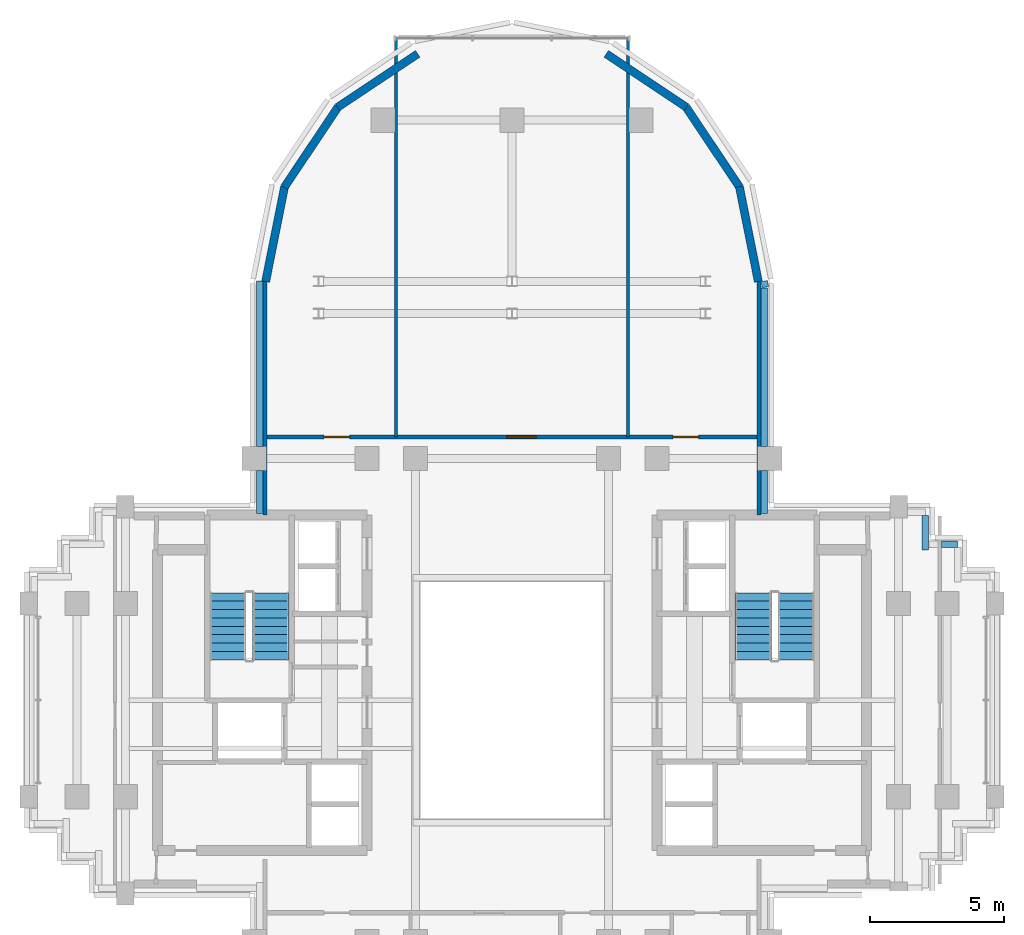
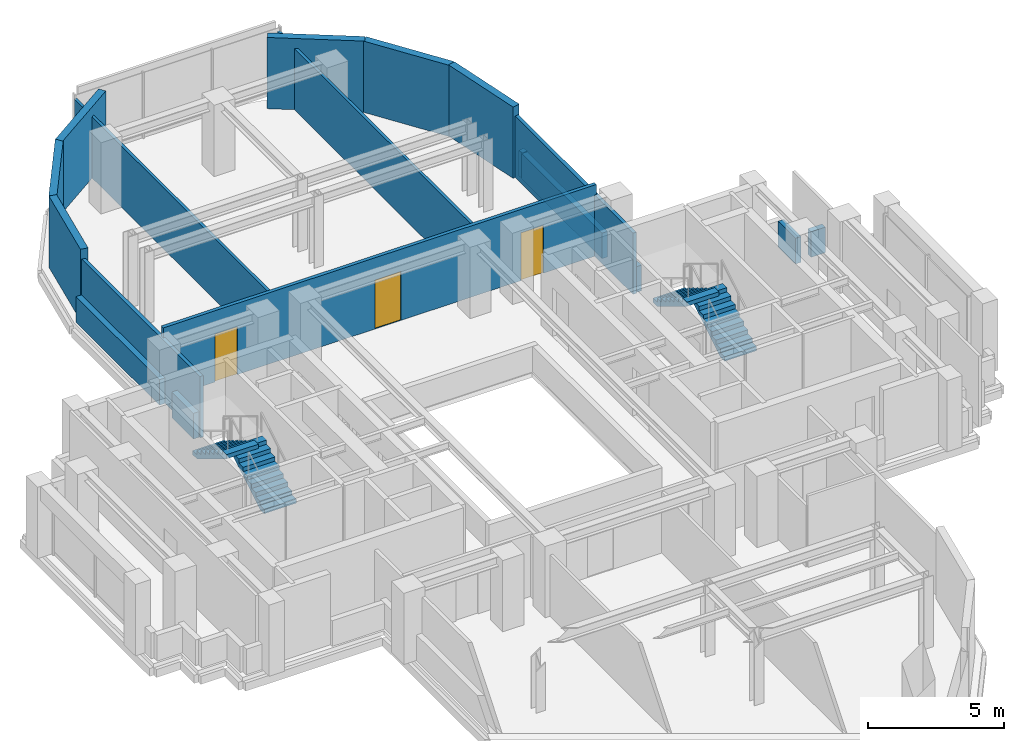
# One storey, part 8 of 11: 18 walls, 4 stair flights, 3 doors, 3 openings, 2 elements without a shape of their own.
"""IFC4 building model written with IfcOpenShell, lengths in metres."""

from ifc_helpers import new_model, si_unit, direction, frame, frame_2d, origin, place, context, subcontext, project, spatial, polyline, rectangle, outline, extrude, source, transform, mapped, material, layer, layer_set, type_object, element, fill, aggregate, save


model = new_model("IFC4")

# Units and contexts
model_context = context("Model", 3, precision=1e-05, world=origin(), true_north=direction((0.0, 1.0)))
body_context = subcontext(model_context, "Body", "Model", "MODEL_VIEW")
ifc_project = project(units=[si_unit("LENGTHUNIT", "METRE"), si_unit("AREAUNIT", "SQUARE_METRE"), si_unit("VOLUMEUNIT", "CUBIC_METRE"), si_unit("PLANEANGLEUNIT", "RADIAN"), si_unit("MASSUNIT", "GRAM", prefix="KILO")], contexts=[model_context])

# Site, building, storey
site_placement = place(None, origin())
site = spatial("IfcSite", under=ifc_project, at=site_placement, CompositionType="ELEMENT")
building_placement = place(site_placement, origin())
building = spatial("IfcBuilding", under=site, at=building_placement, Name="Keilestroom Media Tower", CompositionType="ELEMENT")
storey_placement = place(building_placement, frame((0.0, 0.0, 180.800048828125)))
storey = spatial("IfcBuildingStorey", under=building, at=storey_placement, Name="L49", CompositionType="ELEMENT", Elevation=180.800048828125)

# Walls
ifc_material_1 = material(Name="Precast concrete C40/50", Category="concrete")
ifc_layer_1 = layer(ifc_material_1, 0.300048828125)
ifc_layer_set_1 = layer_set([ifc_layer_1], Name="Precast concrete C40/50")
wall_type_1 = type_object("IfcWallType", Name="Exterior-Masonry-Spandrel-Wall-300", PredefinedType="SOLIDWALL", material=ifc_layer_set_1)
for number, where, z_axis, x_axis, name in (
    (1, (9.1748046875, 15.585205078125, 0.0), (0.0, 0.0, 1.0), (-0.195114232679, 0.980780523974, 0.0), "L49 Lobe Facet Precast Frame Wall 01"),
    (2, (8.48193359375, 19.097412109375, 0.0), (0.0, 0.0, 1.0), (-0.555574187116, 0.831466970246, 0.0), "L49 Lobe Facet Precast Frame Wall 02"),
):
    element("IfcWall", number, at=place(storey_placement, frame(where, z_axis=z_axis, x_axis=x_axis)), inside=storey, type_object=wall_type_1, Name=name, PredefinedType="SOLIDWALL", context=body_context, shape_type="SweptSolid", body=[
        extrude(rectangle(XDim=3.608642578125, YDim=0.300048828125, at=frame_2d((1.80419921875, 0.0))), origin(), (0.0, 0.0, 1.0), 3.199951171875),
    ])
for number, where, z_axis, x_axis, name in (
    (3, (6.497802734375, 22.0771484375, 0.0), (0.0, 0.0, 1.0), (-0.8314749531, 0.555562239868, 0.0), "L49 Lobe Facet Precast Frame Wall 03"),
    (4, (-3.510009765625, 24.073486328125, 0.0), (0.0, 0.0, 1.0), (-0.8314749531, -0.555562239868, 0.0), "L49 Lobe Facet Precast Frame Wall 04"),
):
    element("IfcWall", number, at=place(storey_placement, frame(where, z_axis=z_axis, x_axis=x_axis)), inside=storey, type_object=wall_type_1, Name=name, PredefinedType="SOLIDWALL", context=body_context, shape_type="SweptSolid", body=[
        extrude(rectangle(XDim=3.59326171875, YDim=0.300048828125, at=frame_2d((1.796630859375, 0.0))), origin(), (0.0, 0.0, 1.0), 3.199951171875),
    ])
for number, where, z_axis, x_axis, name in (
    (5, (-6.47705078125, 22.097900390625, 0.0), (0.0, 0.0, 1.0), (-0.555574187116, -0.831466970246, 0.0), "L49 Lobe Facet Precast Frame Wall 05"),
    (6, (-8.470703125, 19.12451171875, 0.0), (0.0, 0.0, 1.0), (-0.195114232679, -0.980780523974, 0.0), "L49 Lobe Facet Precast Frame Wall 06"),
):
    element("IfcWall", number, at=place(storey_placement, frame(where, z_axis=z_axis, x_axis=x_axis)), inside=storey, type_object=wall_type_1, Name=name, PredefinedType="SOLIDWALL", context=body_context, shape_type="SweptSolid", body=[
        extrude(rectangle(XDim=3.608642578125, YDim=0.300048828125, at=frame_2d((1.80419921875, 0.0))), origin(), (0.0, 0.0, 1.0), 3.199951171875),
    ])
ifc_material_2 = material(Name="Gypsum Plasterboard & Steel Stud", Category="steel")
ifc_layer_2 = layer(ifc_material_2, 0.1201171875)
ifc_layer_set_2 = layer_set([ifc_layer_2], Name="Gypsum Plasterboard & Steel Stud")
wall_type_2 = type_object("IfcWallType", Name="Interior-Partition-Wall-120", PredefinedType="PARTITIONING", material=ifc_layer_set_2)
for number, where, z_axis, x_axis, name in (
    (7, (-4.320068359375, 9.800048828125, 0.0), (0.0, 0.0, 1.0), (0.0, 1.0, 0.0), "L49 Interior Wall WP-L49-NL-VW"),
    (8, (4.320068359375, 9.800048828125, 0.0), (0.0, 0.0, 1.0), (0.0, 1.0, 0.0), "L49 Interior Wall WP-L49-NL-VE"),
):
    element("IfcWall", number, at=place(storey_placement, frame(where, z_axis=z_axis, x_axis=x_axis)), inside=storey, type_object=wall_type_2, Name=name, PredefinedType="PARTITIONING", context=body_context, shape_type="SweptSolid", body=[
        extrude(rectangle(XDim=14.849853515625, YDim=0.1201171875, at=frame_2d((7.4248046875, 0.0))), origin(), (0.0, 0.0, 1.0), 2.75),
    ])

# Wall, openings, doors
ifc_layer_3 = layer(ifc_material_2, 0.14990234375)
ifc_layer_set_3 = layer_set([ifc_layer_3], Name="Gypsum Plasterboard & Steel Stud")
wall_type_3 = type_object("IfcWallType", Name="Interior-Partition-Wall-150", PredefinedType="PARTITIONING", material=ifc_layer_set_3)
wall_1_placement = place(storey_placement, frame((-9.199951171875, 9.800048828125, 0.0), z_axis=(0.0, 0.0, 1.0), x_axis=(1.0, 0.0, 0.0)))
wall_1 = element("IfcWall", 9, at=wall_1_placement, inside=storey, type_object=wall_type_3, Name="L49 Interior Wall WP-L49-NL-BASE", PredefinedType="PARTITIONING", context=body_context, shape_type="SweptSolid", body=[
    extrude(rectangle(XDim=18.39990234375, YDim=0.14990234375, at=frame_2d((9.199951171875, 0.0))), origin(), (0.0, 0.0, 1.0), 3.199951171875),
])
opening_1_placement = place(wall_1_placement, frame((2.199951171875, 0.0, 0.0)))
opening_1 = element("IfcOpeningElement", 10, at=opening_1_placement, cuts=wall_1, Name="Opening DI-03", PredefinedType="OPENING", context=body_context, shape_type="SweptSolid", body=[
    extrude(rectangle(XDim=0.949951171875, YDim=2.14990234375, at=frame_2d((0.47509765625, 1.074951171875))), frame((0.0, 0.0849609375, 0.0), z_axis=(0.0, -1.0, 0.0), x_axis=(1.0, 0.0, 0.0)), (0.0, 0.0, 1.0), 0.169921875),
])
opening_2_placement = place(wall_1_placement, frame((9.0, 0.0, 0.0)))
opening_2 = element("IfcOpeningElement", 11, at=opening_2_placement, cuts=wall_1, Name="Opening DI-04", PredefinedType="OPENING", context=body_context, shape_type="SweptSolid", body=[
    extrude(rectangle(XDim=1.10009765625, YDim=2.199951171875, at=frame_2d((0.550048828125, 1.10009765625))), frame((0.0, 0.0849609375, 0.0), z_axis=(0.0, -1.0, 0.0), x_axis=(1.0, 0.0, 0.0)), (0.0, 0.0, 1.0), 0.169921875),
])
opening_3_placement = place(wall_1_placement, frame((15.199951171875, 0.0, 0.0)))
opening_3 = element("IfcOpeningElement", 12, at=opening_3_placement, cuts=wall_1, Name="Opening DI-03", PredefinedType="OPENING", context=body_context, shape_type="SweptSolid", body=[
    extrude(rectangle(XDim=0.949951171875, YDim=2.14990234375, at=frame_2d((0.47509765625, 1.074951171875))), frame((0.0, 0.0849609375, 0.0), z_axis=(0.0, -1.0, 0.0), x_axis=(1.0, 0.0, 0.0)), (0.0, 0.0, 1.0), 0.169921875),
])
ifc_material_3 = material(Name="Lacquered European Oak Leaf", Category="wood")
door_type_1 = type_object("IfcDoorType", Name="Interior-Room-And-Suite-Door-DI-03", OperationType="NOTDEFINED", PredefinedType="DOOR", material=ifc_material_3)
shared_shape_1 = source(origin(), body_context, "Body", "SweptSolid", [
    extrude(rectangle(XDim=0.949951171875, YDim=2.14990234375, at=frame_2d((0.47509765625, 1.074951171875))), frame((0.0, 0.02490234375, 0.0), z_axis=(0.0, -1.0, 0.0), x_axis=(1.0, 0.0, 0.0)), (0.0, 0.0, 1.0), 0.050048828125),
])
door_1_placement = place(opening_1_placement, origin())
door_1 = element("IfcDoor", 13, at=door_1_placement, inside=storey, type_object=door_type_1, Name="L49 Interior Door DI-L49-DNL-W", OperationType="SINGLE_SWING_RIGHT", OverallHeight=2.14990234375, OverallWidth=0.949951171875, PredefinedType="DOOR", context=body_context, shape_type="MappedRepresentation", body=[
    mapped(shared_shape_1, transform((0.0, 0.0, 0.0), x_axis=(1.0, 0.0, 0.0), y_axis=(0.0, 1.0, 0.0), z_axis=(0.0, 0.0, 1.0), scale=1.0)),
])
fill(opening_1, door_1)
door_2_placement = place(opening_3_placement, origin())
door_2 = element("IfcDoor", 14, at=door_2_placement, inside=storey, type_object=door_type_1, Name="L49 Interior Door DI-L49-DNL-E", OperationType="SINGLE_SWING_RIGHT", OverallHeight=2.14990234375, OverallWidth=0.949951171875, PredefinedType="DOOR", context=body_context, shape_type="MappedRepresentation", body=[
    mapped(shared_shape_1, transform((0.0, 0.0, 0.0), x_axis=(1.0, 0.0, 0.0), y_axis=(0.0, 1.0, 0.0), z_axis=(0.0, 0.0, 1.0), scale=1.0)),
])
fill(opening_3, door_2)
ifc_material_4 = material(Name="Acoustic Glazed Aluminium Leaf", Category="aluminium")
door_type_2 = type_object("IfcDoorType", Name="Interior-Room-And-Suite-Door-DI-04", OperationType="NOTDEFINED", PredefinedType="DOOR", material=ifc_material_4)
shared_shape_2 = source(origin(), body_context, "Body", "SweptSolid", [
    extrude(rectangle(XDim=1.10009765625, YDim=2.199951171875, at=frame_2d((0.550048828125, 1.10009765625))), frame((0.0, 0.02490234375, 0.0), z_axis=(0.0, -1.0, 0.0), x_axis=(1.0, 0.0, 0.0)), (0.0, 0.0, 1.0), 0.050048828125),
])
door_3_placement = place(opening_2_placement, origin())
door_3 = element("IfcDoor", 15, at=door_3_placement, inside=storey, type_object=door_type_2, Name="L49 Interior Door DI-L49-DNL-C", OperationType="SINGLE_SWING_LEFT", OverallHeight=2.199951171875, OverallWidth=1.10009765625, PredefinedType="DOOR", context=body_context, shape_type="MappedRepresentation", body=[
    mapped(shared_shape_2, transform((0.0, 0.0, 0.0), x_axis=(1.0, 0.0, 0.0), y_axis=(0.0, 1.0, 0.0), z_axis=(0.0, 0.0, 1.0), scale=1.0)),
])
fill(opening_2, door_3)

# Walls
for number, where, z_axis, x_axis, name in (
    (16, (-9.199951171875, 6.89990234375, 0.0), (0.0, 0.0, 1.0), (0.0, 1.0, 0.0), "L49 Interior Wall WP-L49-NL-CHKW"),
    (17, (9.199951171875, 6.89990234375, 0.0), (0.0, 0.0, 1.0), (0.0, 1.0, 0.0), "L49 Interior Wall WP-L49-NL-CHKE"),
):
    element("IfcWall", number, at=place(storey_placement, frame(where, z_axis=z_axis, x_axis=x_axis)), inside=storey, type_object=wall_type_3, Name=name, PredefinedType="PARTITIONING", context=body_context, shape_type="SweptSolid", body=[
        extrude(rectangle(XDim=8.780029296875, YDim=0.14990234375, at=frame_2d((4.39013671875, 0.0))), origin(), (0.0, 0.0, 1.0), 2.75),
    ])
ifc_layer_4 = layer(ifc_material_1, 0.239990234375)
ifc_layer_set_4 = layer_set([ifc_layer_4], Name="Precast concrete C40/50")
wall_type_4 = type_object("IfcWallType", Name="Roof-And-Terrace-Parapet-Wall-240", PredefinedType="PARAPET", material=ifc_layer_set_4)
wall_2_placement = place(storey_placement, frame((-9.39990234375, 6.952880859375, 0.0), z_axis=(0.0, 0.0, 1.0), x_axis=(0.0, 1.0, 0.0)))
element("IfcWall", 18, at=wall_2_placement, inside=storey, type_object=wall_type_4, Name="L49 Perimeter Edge Parapet Wall 26", PredefinedType="PARAPET", context=body_context, shape_type="SweptSolid", body=[
    extrude(rectangle(XDim=1.59423828125, YDim=0.239990234375, at=frame_2d((0.797119140625, 0.0))), origin(), (0.0, 0.0, 1.0), 1.14990234375),
])
wall_3_placement = place(storey_placement, frame((-9.39990234375, 9.452880859375, 0.0), z_axis=(0.0, 0.0, 1.0), x_axis=(0.0, 1.0, 0.0)))
element("IfcWall", 19, at=wall_3_placement, inside=storey, type_object=wall_type_4, Name="L49 Perimeter Edge Parapet Wall 27", PredefinedType="PARAPET", context=body_context, shape_type="SweptSolid", body=[
    extrude(rectangle(XDim=6.14990234375, YDim=0.239990234375, at=frame_2d((3.074951171875, 0.0))), origin(), (0.0, 0.0, 1.0), 1.14990234375),
])
wall_4_placement = place(storey_placement, frame((9.395263671875, 15.604248046875, 0.0), z_axis=(0.0, 0.0, 1.0), x_axis=(0.194652052864, -0.980872355771, 0.0)))
element("IfcWall", 20, at=wall_4_placement, inside=storey, type_object=wall_type_4, Name="L49 Perimeter Edge Parapet Wall 28", PredefinedType="PARAPET", context=body_context, shape_type="SweptSolid", body=[
    extrude(rectangle(XDim=0.224609375, YDim=0.239990234375, at=frame_2d((0.1123046875, 0.0))), origin(), (0.0, 0.0, 1.0), 1.14990234375),
])
wall_5_placement = place(storey_placement, frame((9.39990234375, 15.357666015625, 0.0), z_axis=(0.0, 0.0, 1.0), x_axis=(0.0, -1.0, 0.0)))
element("IfcWall", 21, at=wall_5_placement, inside=storey, type_object=wall_type_4, Name="L49 Perimeter Edge Parapet Wall 29", PredefinedType="PARAPET", context=body_context, shape_type="SweptSolid", body=[
    extrude(rectangle(XDim=5.90478515625, YDim=0.239990234375, at=frame_2d((2.952392578125, 0.0))), origin(), (0.0, 0.0, 1.0), 1.14990234375),
])
wall_6_placement = place(storey_placement, frame((9.39990234375, 8.547119140625, 0.0), z_axis=(0.0, 0.0, 1.0), x_axis=(0.0, -1.0, 0.0)))
element("IfcWall", 22, at=wall_6_placement, inside=storey, type_object=wall_type_4, Name="L49 Perimeter Edge Parapet Wall 30", PredefinedType="PARAPET", context=body_context, shape_type="SweptSolid", body=[
    extrude(rectangle(XDim=1.59423828125, YDim=0.239990234375, at=frame_2d((0.797119140625, 0.0))), origin(), (0.0, 0.0, 1.0), 1.14990234375),
])
wall_7_placement = place(storey_placement, frame((15.39990234375, 6.876953125, 0.0), z_axis=(0.0, 0.0, 1.0), x_axis=(0.0, -1.0, 0.0)))
element("IfcWall", 23, at=wall_7_placement, inside=storey, type_object=wall_type_4, Name="L49 Perimeter Edge Parapet Wall 32", PredefinedType="PARAPET", context=body_context, shape_type="SweptSolid", body=[
    extrude(rectangle(XDim=1.27685546875, YDim=0.239990234375, at=frame_2d((0.638427734375, 0.0))), origin(), (0.0, 0.0, 1.0), 1.14990234375),
])
wall_8_placement = place(storey_placement, frame((15.992919921875, 5.800048828125, 0.0), z_axis=(0.0, 0.0, 1.0), x_axis=(1.0, 0.0, 0.0)))
element("IfcWall", 24, at=wall_8_placement, inside=storey, type_object=wall_type_4, Name="L49 Perimeter Edge Parapet Wall 34", PredefinedType="PARAPET", context=body_context, shape_type="SweptSolid", body=[
    extrude(rectangle(XDim=0.607177734375, YDim=0.239990234375, at=frame_2d((0.3037109375, 0.0))), origin(), (0.0, 0.0, 1.0), 1.14990234375),
])

# Stair, stair flights
ifc_material_5 = material(Name="Concrete C45/55", Category="concrete")
stair_type = type_object("IfcStairType", Name="Enclosed-Dog-Leg-Stair-ST-CORE", PredefinedType="HALF_TURN_STAIR", material=ifc_material_5)
stair_1_placement = place(storey_placement, origin())
stair_1 = element("IfcStair", 25, at=stair_1_placement, inside=storey, type_object=stair_type, Name="L49 West Core Escape Stair ST-1", PredefinedType="HALF_TURN_STAIR")
stair_flight_type = type_object("IfcStairFlightType", Name="Precast-Concrete-Stair-Flight-Core-160", PredefinedType="STRAIGHT", material=ifc_material_1)
stair_flight_1_placement = place(storey_placement, frame((-8.97998046875, 1.5, 0.0), z_axis=(0.0, 0.0, 1.0), x_axis=(0.0, 1.0, 0.0)))
stair_flight_1 = element("IfcStairFlight", 26, at=stair_flight_1_placement, type_object=stair_flight_type, Name="ST-1 flight 1", NumberOfRisers=9, NumberOfTreads=8, PredefinedType="STRAIGHT", RiserHeight=0.188888889, TreadLength=0.312, context=body_context, shape_type="SweptSolid", body=[
    extrude(outline(polyline([(0.0, 0.0), (0.0, 0.18896484375), (0.31201171875, 0.18896484375), (0.31201171875, 0.377685546875), (0.6240234375, 0.377685546875), (0.6240234375, 0.566650390625), (0.93603515625, 0.566650390625), (0.93603515625, 0.755615234375), (1.248046875, 0.755615234375), (1.248046875, 0.9443359375), (1.56005859375, 0.9443359375), (1.56005859375, 1.13330078125), (1.8720703125, 1.13330078125), (1.8720703125, 1.322265625), (2.18408203125, 1.322265625), (2.18408203125, 1.51123046875), (2.49609375, 1.51123046875), (2.49609375, 1.699951171875), (2.49609375, 1.32421875), (0.308837890625, 0.0), (0.0, 0.0)])), frame((0.0, 0.68017578125, 0.0), z_axis=(0.0, -1.0, 0.0), x_axis=(1.0, 0.0, 0.0)), (0.0, 0.0, 1.0), 1.360107421875),
])
stair_flight_2_placement = place(storey_placement, frame((-10.580078125, 3.99609375, 1.699951171875), z_axis=(0.0, 0.0, 1.0), x_axis=(0.0, -1.0, 0.0)))
stair_flight_2 = element("IfcStairFlight", 27, at=stair_flight_2_placement, type_object=stair_flight_type, Name="ST-1 flight 2", NumberOfRisers=9, NumberOfTreads=8, PredefinedType="STRAIGHT", RiserHeight=0.188888889, TreadLength=0.312, context=body_context, shape_type="SweptSolid", body=[
    extrude(outline(polyline([(0.0, 0.0), (0.0, 0.18896484375), (0.31201171875, 0.18896484375), (0.31201171875, 0.377685546875), (0.6240234375, 0.377685546875), (0.6240234375, 0.566650390625), (0.93603515625, 0.566650390625), (0.93603515625, 0.755615234375), (1.248046875, 0.755615234375), (1.248046875, 0.9443359375), (1.56005859375, 0.9443359375), (1.56005859375, 1.13330078125), (1.8720703125, 1.13330078125), (1.8720703125, 1.322265625), (2.18408203125, 1.322265625), (2.18408203125, 1.51123046875), (2.49609375, 1.51123046875), (2.49609375, 1.699951171875), (2.49609375, 1.32421875), (0.308837890625, 0.0), (0.0, 0.0)])), frame((0.0, 0.68017578125, 0.0), z_axis=(0.0, -1.0, 0.0), x_axis=(1.0, 0.0, 0.0)), (0.0, 0.0, 1.0), 1.360107421875),
])
aggregate(stair_1, [stair_flight_1, stair_flight_2])

stair_2_placement = place(storey_placement, origin())
stair_2 = element("IfcStair", 28, at=stair_2_placement, inside=storey, type_object=stair_type, Name="L49 East Core Escape Stair ST-2", PredefinedType="HALF_TURN_STAIR")
stair_flight_3_placement = place(storey_placement, frame((10.580078125, 1.5, 0.0), z_axis=(0.0, 0.0, 1.0), x_axis=(0.0, 1.0, 0.0)))
stair_flight_3 = element("IfcStairFlight", 29, at=stair_flight_3_placement, type_object=stair_flight_type, Name="ST-2 flight 1", NumberOfRisers=9, NumberOfTreads=8, PredefinedType="STRAIGHT", RiserHeight=0.188888889, TreadLength=0.312, context=body_context, shape_type="SweptSolid", body=[
    extrude(outline(polyline([(0.0, 0.0), (0.0, 0.18896484375), (0.31201171875, 0.18896484375), (0.31201171875, 0.377685546875), (0.6240234375, 0.377685546875), (0.6240234375, 0.566650390625), (0.93603515625, 0.566650390625), (0.93603515625, 0.755615234375), (1.248046875, 0.755615234375), (1.248046875, 0.9443359375), (1.56005859375, 0.9443359375), (1.56005859375, 1.13330078125), (1.8720703125, 1.13330078125), (1.8720703125, 1.322265625), (2.18408203125, 1.322265625), (2.18408203125, 1.51123046875), (2.49609375, 1.51123046875), (2.49609375, 1.699951171875), (2.49609375, 1.32421875), (0.308837890625, 0.0), (0.0, 0.0)])), frame((0.0, 0.68017578125, 0.0), z_axis=(0.0, -1.0, 0.0), x_axis=(1.0, 0.0, 0.0)), (0.0, 0.0, 1.0), 1.360107421875),
])
stair_flight_4_placement = place(storey_placement, frame((8.97998046875, 3.99609375, 1.699951171875), z_axis=(0.0, 0.0, 1.0), x_axis=(0.0, -1.0, 0.0)))
stair_flight_4 = element("IfcStairFlight", 30, at=stair_flight_4_placement, type_object=stair_flight_type, Name="ST-2 flight 2", NumberOfRisers=9, NumberOfTreads=8, PredefinedType="STRAIGHT", RiserHeight=0.188888889, TreadLength=0.312, context=body_context, shape_type="SweptSolid", body=[
    extrude(outline(polyline([(0.0, 0.0), (0.0, 0.18896484375), (0.31201171875, 0.18896484375), (0.31201171875, 0.377685546875), (0.6240234375, 0.377685546875), (0.6240234375, 0.566650390625), (0.93603515625, 0.566650390625), (0.93603515625, 0.755615234375), (1.248046875, 0.755615234375), (1.248046875, 0.9443359375), (1.56005859375, 0.9443359375), (1.56005859375, 1.13330078125), (1.8720703125, 1.13330078125), (1.8720703125, 1.322265625), (2.18408203125, 1.322265625), (2.18408203125, 1.51123046875), (2.49609375, 1.51123046875), (2.49609375, 1.699951171875), (2.49609375, 1.32421875), (0.308837890625, 0.0), (0.0, 0.0)])), frame((0.0, 0.68017578125, 0.0), z_axis=(0.0, -1.0, 0.0), x_axis=(1.0, 0.0, 0.0)), (0.0, 0.0, 1.0), 1.360107421875),
])
aggregate(stair_2, [stair_flight_3, stair_flight_4])

save(model, "model.ifc")
